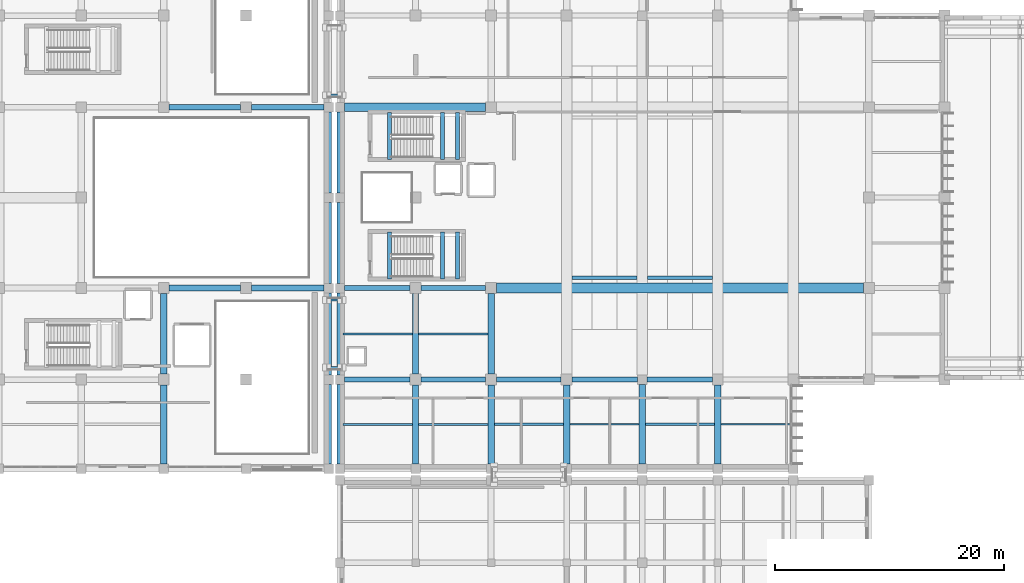
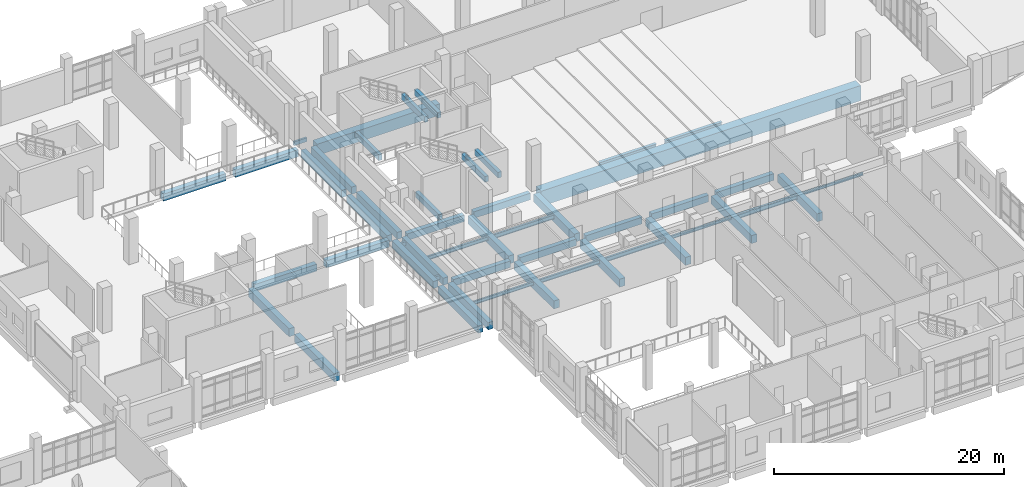
# One storey, part 18 of 90: 49 beams.
"""IFC4 building model written with IfcOpenShell, lengths in metres."""

import ifcopenshell
import ifcopenshell.guid

model = None  # the IFC model being written
_history = None  # IfcOwnerHistory: only IFC2X3 demands one
_inside = {}  # id of a spatial element -> (the spatial element, [elements in it])
_under = {}  # id of a project, library or spatial element -> (it, [spatial elements below it])
_declared = {}  # id of a project -> (the project, [libraries it declares])
_typed = {}  # id of a type object -> (the type object, [elements of that type])
_made_of = {}  # id of a material, layer set ... -> (it, [elements and type objects made of it])


def new_model(schema):
    """Start an empty IFC model of exactly this schema.

    Asked for "IFC4X3", IfcOpenShell would pick the latest addendum, in which some entities
    have other attributes; the version numbers below select the first issue.
    IFC2X3 requires an IfcOwnerHistory on every rooted entity: one is made here for all.
    """
    global model, _history
    if schema == "IFC4X3":
        model = ifcopenshell.file(schema_version=(4, 3, 0, 0))
    else:
        model = ifcopenshell.file(schema=schema)
    _inside.clear()
    _under.clear()
    _declared.clear()
    _typed.clear()
    _made_of.clear()
    _history = None
    if model.schema == "IFC2X3":
        org = make("IfcOrganization", Name="unknown")
        user = make(
            "IfcPersonAndOrganization",
            ThePerson=make("IfcPerson", FamilyName="unknown"),
            TheOrganization=org,
        )
        app = make(
            "IfcApplication",
            ApplicationDeveloper=org,
            Version="unknown",
            ApplicationFullName="unknown",
            ApplicationIdentifier="unknown",
        )
        _history = make(
            "IfcOwnerHistory",
            OwningUser=user,
            OwningApplication=app,
            ChangeAction="ADDED",
            CreationDate=0,
        )
    return model


def make(cls, **values):
    """One entity of the class cls with the attributes given. An attribute that is None is left unset."""
    return model.create_entity(
        cls, **{name: value for name, value in values.items() if value is not None}
    )


def rooted(cls, **values):
    """An entity with a GlobalId (a new one), such as an element, a storey or a relation."""
    return make(cls, GlobalId=ifcopenshell.guid.new(), OwnerHistory=_history, **values)


def si_unit(unit_type, name, prefix=None):
    """IfcSIUnit, for example si_unit("LENGTHUNIT", "METRE", prefix="MILLI")."""
    return make("IfcSIUnit", UnitType=unit_type, Prefix=prefix, Name=name)


def assignment(units):
    """IfcUnitAssignment: the units of a project."""
    return None if units is None else make("IfcUnitAssignment", Units=units)


def point(xyz):
    """IfcCartesianPoint."""
    return None if xyz is None else make("IfcCartesianPoint", Coordinates=xyz)


def direction(xyz):
    """IfcDirection."""
    return None if xyz is None else make("IfcDirection", DirectionRatios=xyz)


def frame(location, z_axis=None, x_axis=None):
    """IfcAxis2Placement3D, a coordinate frame: its origin and axes. An axis left out is left unset."""
    return make(
        "IfcAxis2Placement3D",
        Location=point(location),
        Axis=direction(z_axis),
        RefDirection=direction(x_axis),
    )


def frame_2d(location, x_axis=None):
    """IfcAxis2Placement2D, a coordinate frame in the plane: its origin and x axis."""
    return make(
        "IfcAxis2Placement2D", Location=point(location), RefDirection=direction(x_axis)
    )


def origin():
    """The frame at (0, 0, 0) with its axes left unset."""
    return frame((0.0, 0.0, 0.0))


def origin_2d():
    """The frame at (0, 0) in the plane with its x axis left unset."""
    return frame_2d((0.0, 0.0))


def place(relative_to, where):
    """IfcLocalPlacement: puts the frame where relative to a parent placement (None: the world)."""
    return make(
        "IfcLocalPlacement", PlacementRelTo=relative_to, RelativePlacement=where
    )


def context(
    kind, dimensions, precision=None, world=None, true_north=None, identifier=None
):
    """IfcGeometricRepresentationContext, for example the 3D "Model" context."""
    return make(
        "IfcGeometricRepresentationContext",
        ContextIdentifier=identifier,
        ContextType=kind,
        CoordinateSpaceDimension=dimensions,
        Precision=precision,
        WorldCoordinateSystem=world,
        TrueNorth=true_north,
    )


def subcontext(parent, identifier, kind, view, scale=None):
    """IfcGeometricRepresentationSubContext, for example "Body" below "Model"."""
    return make(
        "IfcGeometricRepresentationSubContext",
        ContextIdentifier=identifier,
        ContextType=kind,
        ParentContext=parent,
        TargetScale=scale,
        TargetView=view,
    )


def project(units=None, contexts=None):
    """IfcProject with its units and contexts."""
    return rooted(
        "IfcProject",
        Name="project",
        RepresentationContexts=contexts,
        UnitsInContext=assignment(units),
    )


def spatial(cls, under=None, at=None, **own):
    """A site, building, storey or space (cls), placed at a placement, below another one or the project."""
    s = rooted(cls, ObjectPlacement=at, **own)
    if under is not None:
        _under.setdefault(under.id(), (under, []))[1].append(s)
    return s


def profile(cls, at=None, kind="AREA", **sizes):
    """A parametric profile (cls). Its sizes go by their IFC names, for example OverallWidth=200.0."""
    return make(cls, ProfileType=kind, Position=at, **sizes)


def rectangle(**sizes):
    """IfcRectangleProfileDef."""
    return profile("IfcRectangleProfileDef", **sizes)


def hollow_rectangle(**sizes):
    """IfcRectangleHollowProfileDef."""
    return profile("IfcRectangleHollowProfileDef", **sizes)


def i_section(**sizes):
    """IfcIShapeProfileDef."""
    return profile("IfcIShapeProfileDef", **sizes)


def extrude(swept, where, along, depth):
    """IfcExtrudedAreaSolid: the profile swept, set in the frame where, extruded along a direction by depth."""
    return make(
        "IfcExtrudedAreaSolid",
        SweptArea=swept,
        Position=where,
        ExtrudedDirection=direction(along),
        Depth=depth,
    )


def shape(context_of_items, identifier, shape_type, items):
    """IfcShapeRepresentation: the items that make up one representation, for example the "Body"."""
    return make(
        "IfcShapeRepresentation",
        ContextOfItems=context_of_items,
        RepresentationIdentifier=identifier,
        RepresentationType=shape_type,
        Items=items,
    )


def material(Name=None, Category=None):
    """IfcMaterial."""
    return make("IfcMaterial", Name=Name, Category=Category)


def material_profile(
    of_material, cross_section, Name=None, Category=None, Priority=None
):
    """IfcMaterialProfile: a cross section and its material."""
    return make(
        "IfcMaterialProfile",
        Name=Name,
        Material=of_material,
        Profile=cross_section,
        Priority=Priority,
        Category=Category,
    )


def profile_set(profiles, Name=None, composite=None):
    """IfcMaterialProfileSet."""
    return make(
        "IfcMaterialProfileSet",
        Name=Name,
        MaterialProfiles=profiles,
        CompositeProfile=composite,
    )


def made_of(thing, what):
    """Note that an element or type object is made of a material, layer set ...; save() writes the relation."""
    if what is not None:
        _made_of.setdefault(what.id(), (what, []))[1].append(thing)
    return thing


def type_object(cls, material=None, **own):
    """A type object (cls), such as IfcWallType, which elements share."""
    return made_of(rooted(cls, **own), material)


def element(
    cls,
    number,
    at=None,
    inside=None,
    cuts=None,
    type_object=None,
    material=None,
    context=None,
    identifier="Body",
    shape_type=None,
    held_by="IfcProductDefinitionShape",
    body=None,
    shapes=None,
    **own,
):
    """One element of the class cls, such as IfcWall. Its Tag is "e" and its number.

    at: its placement. inside: the storey or other place that contains it. cuts: it is an
    opening in that element (IfcRelVoidsElement). A single representation is given by context,
    identifier, shape_type and body (its items); several are given by shapes. held_by: the class
    of the entity that holds the representations. save() writes the other relations.
    """
    e = rooted(cls, Tag="e%d" % number, ObjectPlacement=at, **own)
    if body is not None:
        shapes = [shape(context, identifier, shape_type, body)]
    if shapes is not None:
        e.Representation = make(held_by, Representations=shapes)
    if inside is not None:
        _inside.setdefault(inside.id(), (inside, []))[1].append(e)
    if cuts is not None:
        rooted(
            "IfcRelVoidsElement", RelatingBuildingElement=cuts, RelatedOpeningElement=e
        )
    if type_object is not None:
        _typed.setdefault(type_object.id(), (type_object, []))[1].append(e)
    return made_of(e, material)


def aggregate(whole, parts):
    """IfcRelAggregates: a whole, such as a stair, and the parts it consists of."""
    return rooted("IfcRelAggregates", RelatingObject=whole, RelatedObjects=parts)


def save(model, path):
    """Write the relations noted so far, then the file.

    IfcRelAggregates (storeys below a building ...), IfcRelContainedInSpatialStructure (elements
    in a storey), IfcRelDefinesByType, IfcRelAssociatesMaterial and IfcRelDeclares: one each for
    every whole, place, type object, material and project.
    """
    for whole, parts in _under.values():
        aggregate(whole, parts)
    for where, things in _inside.values():
        rooted(
            "IfcRelContainedInSpatialStructure",
            RelatedElements=things,
            RelatingStructure=where,
        )
    for kind, things in _typed.values():
        rooted("IfcRelDefinesByType", RelatedObjects=things, RelatingType=kind)
    for what, things in _made_of.values():
        rooted("IfcRelAssociatesMaterial", RelatedObjects=things, RelatingMaterial=what)
    for by, libraries in _declared.values():
        rooted("IfcRelDeclares", RelatingContext=by, RelatedDefinitions=libraries)
    model.write(path)


model = new_model("IFC4")

# Units and contexts
model_context = context("Model", 3, precision=1e-05, world=origin(), true_north=direction((0.0, 1.0)))
body_context = subcontext(model_context, "Body", "Model", "MODEL_VIEW")
ifc_project = project(units=[si_unit("LENGTHUNIT", "METRE"), si_unit("AREAUNIT", "SQUARE_METRE"), si_unit("VOLUMEUNIT", "CUBIC_METRE"), si_unit("PLANEANGLEUNIT", "RADIAN"), si_unit("MASSUNIT", "GRAM", prefix="KILO")], contexts=[model_context])

# Site, building, storey
site_placement = place(None, origin())
site = spatial("IfcSite", under=ifc_project, at=site_placement, CompositionType="ELEMENT")
building_placement = place(site_placement, origin())
building = spatial("IfcBuilding", under=site, at=building_placement, Name="Kelarvand Opera House", CompositionType="ELEMENT")
storey_placement = place(building_placement, frame((0.0, 0.0, 5.39990234375)))
storey = spatial("IfcBuildingStorey", under=building, at=storey_placement, Name="L01", CompositionType="ELEMENT", Elevation=5.39990234375)

# Beams
ifc_material_1 = material(Name="Concrete C35/45", Category="concrete")
ifc_material_profile_1 = material_profile(ifc_material_1, rectangle(XDim=0.35009765625, YDim=0.60009765625, at=origin_2d()), Name="RC 350x600", Category="concrete")
ifc_profile_set_1 = profile_set([ifc_material_profile_1], Name="Concrete C35/45")
beam_type_1 = type_object("IfcBeamType", Name="Structural Beam RC 350x600 BM-RC350x600", PredefinedType="BEAM", material=ifc_profile_set_1)
for number, where, z_axis, x_axis, name in (
    (1, (93.340087890625, 65.85009765625, -0.52001953125), (0.0, 1.0, 0.0), (-1.0, 0.0, 0.0), "C1 Stair Landing Support Beam L01"),
    (2, (97.949951171875, 65.85009765625, 1.900146484375), (0.0, 1.0, 0.0), (-1.0, 0.0, 0.0), "C1 Stair Half-Landing Beam 1 L01"),
    (3, (99.25, 65.85009765625, 1.900146484375), (0.0, 1.0, 0.0), (-1.0, 0.0, 0.0), "C1 Stair Half-Landing Beam 2 L01"),
):
    element("IfcBeam", number, at=place(storey_placement, frame(where, z_axis=z_axis, x_axis=x_axis)), inside=storey, type_object=beam_type_1, Name=name, PredefinedType="BEAM", context=body_context, shape_type="SweptSolid", body=[
        extrude(rectangle(XDim=0.35009765625, YDim=0.60009765625, at=origin_2d()), origin(), (0.0, 0.0, 1.0), 4.099853515625),
    ])
for number, where, z_axis, x_axis, name in (
    (4, (93.340087890625, 55.39990234375, -0.52001953125), (0.0, 1.0, 0.0), (-1.0, 0.0, 0.0), "C4 Stair Landing Support Beam L01"),
    (5, (97.949951171875, 55.39990234375, 1.900146484375), (0.0, 1.0, 0.0), (-1.0, 0.0, 0.0), "C4 Stair Half-Landing Beam 1 L01"),
    (6, (99.25, 55.39990234375, 1.900146484375), (0.0, 1.0, 0.0), (-1.0, 0.0, 0.0), "C4 Stair Half-Landing Beam 2 L01"),
):
    element("IfcBeam", number, at=place(storey_placement, frame(where, z_axis=z_axis, x_axis=x_axis)), inside=storey, type_object=beam_type_1, Name=name, PredefinedType="BEAM", context=body_context, shape_type="SweptSolid", body=[
        extrude(rectangle(XDim=0.35009765625, YDim=0.60009765625, at=origin_2d()), origin(), (0.0, 0.0, 1.0), 4.10009765625),
    ])
ifc_material_2 = material(Name="Concrete C40/50", Category="concrete")
ifc_material_profile_2 = material_profile(ifc_material_2, rectangle(XDim=0.449951171875, YDim=0.699951171875, at=origin_2d()), Name="RC 450x700", Category="concrete")
ifc_profile_set_2 = profile_set([ifc_material_profile_2], Name="Concrete C40/50")
beam_type_2 = type_object("IfcBeamType", Name="Structural Beam RC 450x700 BM-RC450x700", PredefinedType="BEAM", material=ifc_profile_set_2)
beam_1_placement = place(storey_placement, frame((89.409912109375, 46.60009765625, -0.64990234375), z_axis=(1.0, 0.0, 0.0), x_axis=(0.0, 1.0, 0.0)))
element("IfcBeam", 7, at=beam_1_placement, inside=storey, type_object=beam_type_2, Name="V1 L01 Beam BM-RC450x700", PredefinedType="BEAM", context=body_context, shape_type="SweptSolid", body=[
    extrude(rectangle(XDim=0.449951171875, YDim=0.699951171875, at=origin_2d()), origin(), (0.0, 0.0, 1.0), 5.715087890625),
])
beam_2_placement = place(storey_placement, frame((96.074951171875, 46.60009765625, -0.64990234375), z_axis=(1.0, 0.0, 0.0), x_axis=(0.0, 1.0, 0.0)))
element("IfcBeam", 8, at=beam_2_placement, inside=storey, type_object=beam_type_2, Name="V1 L01 Beam BM-RC450x700", PredefinedType="BEAM", context=body_context, shape_type="SweptSolid", body=[
    extrude(rectangle(XDim=0.449951171875, YDim=0.699951171875, at=origin_2d()), origin(), (0.0, 0.0, 1.0), 5.650146484375),
])
beam_3_placement = place(storey_placement, frame((102.675048828125, 46.60009765625, -0.64990234375), z_axis=(1.0, 0.0, 0.0), x_axis=(0.0, 1.0, 0.0)))
element("IfcBeam", 9, at=beam_3_placement, inside=storey, type_object=beam_type_2, Name="V1 L01 Beam BM-RC450x700", PredefinedType="BEAM", context=body_context, shape_type="SweptSolid", body=[
    extrude(rectangle(XDim=0.449951171875, YDim=0.699951171875, at=origin_2d()), origin(), (0.0, 0.0, 1.0), 5.64990234375),
])
beam_4_placement = place(storey_placement, frame((109.27490234375, 46.60009765625, -0.64990234375), z_axis=(1.0, 0.0, 0.0), x_axis=(0.0, 1.0, 0.0)))
element("IfcBeam", 10, at=beam_4_placement, inside=storey, type_object=beam_type_2, Name="V1 L01 Beam BM-RC450x700", PredefinedType="BEAM", context=body_context, shape_type="SweptSolid", body=[
    extrude(rectangle(XDim=0.449951171875, YDim=0.699951171875, at=origin_2d()), origin(), (0.0, 0.0, 1.0), 5.715087890625),
])
beam_5_placement = place(storey_placement, frame((115.81005859375, 46.60009765625, -0.64990234375), z_axis=(1.0, 0.0, 0.0), x_axis=(0.0, 1.0, 0.0)))
element("IfcBeam", 11, at=beam_5_placement, inside=storey, type_object=beam_type_2, Name="V1 L01 Beam BM-RC450x700", PredefinedType="BEAM", context=body_context, shape_type="SweptSolid", body=[
    extrude(rectangle(XDim=0.449951171875, YDim=0.699951171875, at=origin_2d()), origin(), (0.0, 0.0, 1.0), 5.71484375),
])
beam_6_placement = place(storey_placement, frame((89.409912109375, 54.60009765625, -0.64990234375), z_axis=(1.0, 0.0, 0.0), x_axis=(0.0, 1.0, 0.0)))
element("IfcBeam", 12, at=beam_6_placement, inside=storey, type_object=beam_type_2, Name="V1 L01 Beam BM-RC450x700", PredefinedType="BEAM", context=body_context, shape_type="SweptSolid", body=[
    extrude(rectangle(XDim=0.449951171875, YDim=0.699951171875, at=origin_2d()), origin(), (0.0, 0.0, 1.0), 5.715087890625),
])
beam_7_placement = place(storey_placement, frame((96.074951171875, 54.60009765625, -0.64990234375), z_axis=(1.0, 0.0, 0.0), x_axis=(0.0, 1.0, 0.0)))
element("IfcBeam", 13, at=beam_7_placement, inside=storey, type_object=beam_type_2, Name="V1 L01 Beam BM-RC450x700", PredefinedType="BEAM", context=body_context, shape_type="SweptSolid", body=[
    extrude(rectangle(XDim=0.449951171875, YDim=0.699951171875, at=origin_2d()), origin(), (0.0, 0.0, 1.0), 5.650146484375),
])
ifc_material_profile_3 = material_profile(ifc_material_2, rectangle(XDim=0.5, YDim=0.75, at=origin_2d()), Name="RC 500x750", Category="concrete")
ifc_profile_set_3 = profile_set([ifc_material_profile_3], Name="Concrete C40/50")
beam_type_3 = type_object("IfcBeamType", Name="Structural Beam RC 500x750 BM-RC500x750", PredefinedType="BEAM", material=ifc_profile_set_3)
beam_8_placement = place(storey_placement, frame((74.074951171875, 54.60009765625, -0.6748046875), z_axis=(1.0, 0.0, 0.0), x_axis=(0.0, 1.0, 0.0)))
element("IfcBeam", 14, at=beam_8_placement, inside=storey, type_object=beam_type_3, Name="V2 L01 Beam BM-RC500x750", PredefinedType="BEAM", context=body_context, shape_type="SweptSolid", body=[
    extrude(rectangle(XDim=0.5, YDim=0.75, at=origin_2d()), origin(), (0.0, 0.0, 1.0), 6.25),
])
beam_9_placement = place(storey_placement, frame((81.27490234375, 54.60009765625, -0.6748046875), z_axis=(1.0, 0.0, 0.0), x_axis=(0.0, 1.0, 0.0)))
element("IfcBeam", 15, at=beam_9_placement, inside=storey, type_object=beam_type_3, Name="V2 L01 Beam BM-RC500x750", PredefinedType="BEAM", context=body_context, shape_type="SweptSolid", body=[
    extrude(rectangle(XDim=0.5, YDim=0.75, at=origin_2d()), origin(), (0.0, 0.0, 1.0), 6.315185546875),
])
beam_10_placement = place(storey_placement, frame((74.074951171875, 70.39990234375, -0.6748046875), z_axis=(1.0, 0.0, 0.0), x_axis=(0.0, 1.0, 0.0)))
element("IfcBeam", 16, at=beam_10_placement, inside=storey, type_object=beam_type_3, Name="V2 L01 Beam BM-RC500x750", PredefinedType="BEAM", context=body_context, shape_type="SweptSolid", body=[
    extrude(rectangle(XDim=0.5, YDim=0.75, at=origin_2d()), origin(), (0.0, 0.0, 1.0), 6.25),
])
beam_11_placement = place(storey_placement, frame((81.27490234375, 70.39990234375, -0.6748046875), z_axis=(1.0, 0.0, 0.0), x_axis=(0.0, 1.0, 0.0)))
element("IfcBeam", 17, at=beam_11_placement, inside=storey, type_object=beam_type_3, Name="V2 L01 Beam BM-RC500x750", PredefinedType="BEAM", context=body_context, shape_type="SweptSolid", body=[
    extrude(rectangle(XDim=0.5, YDim=0.75, at=origin_2d()), origin(), (0.0, 0.0, 1.0), 6.315185546875),
])
ifc_material_profile_4 = material_profile(ifc_material_2, rectangle(XDim=0.550048828125, YDim=0.85009765625, at=origin_2d()), Name="RC 550x850", Category="concrete")
ifc_profile_set_4 = profile_set([ifc_material_profile_4], Name="Concrete C40/50")
beam_type_4 = type_object("IfcBeamType", Name="Structural Beam RC 550x850 BM-RC550x850", PredefinedType="BEAM", material=ifc_profile_set_4)
beam_12_placement = place(storey_placement, frame((95.60009765625, 39.2099609375, -0.724853515625), z_axis=(0.0, 1.0, 0.0), x_axis=(-1.0, 0.0, 0.0)))
element("IfcBeam", 18, at=beam_12_placement, inside=storey, type_object=beam_type_4, Name="V1 L01 Beam BM-RC550x850", PredefinedType="BEAM", context=body_context, shape_type="SweptSolid", body=[
    extrude(rectangle(XDim=0.550048828125, YDim=0.85009765625, at=origin_2d()), origin(), (0.0, 0.0, 1.0), 6.9150390625),
])
beam_13_placement = place(storey_placement, frame((95.60009765625, 47.074951171875, -0.724853515625), z_axis=(0.0, 1.0, 0.0), x_axis=(-1.0, 0.0, 0.0)))
element("IfcBeam", 19, at=beam_13_placement, inside=storey, type_object=beam_type_4, Name="V1 L01 Beam BM-RC550x850", PredefinedType="BEAM", context=body_context, shape_type="SweptSolid", body=[
    extrude(rectangle(XDim=0.550048828125, YDim=0.85009765625, at=origin_2d()), origin(), (0.0, 0.0, 1.0), 7.050048828125),
])
beam_14_placement = place(storey_placement, frame((102.199951171875, 39.2099609375, -0.724853515625), z_axis=(0.0, 1.0, 0.0), x_axis=(-1.0, 0.0, 0.0)))
element("IfcBeam", 20, at=beam_14_placement, inside=storey, type_object=beam_type_4, Name="V1 L01 Beam BM-RC550x850", PredefinedType="BEAM", context=body_context, shape_type="SweptSolid", body=[
    extrude(rectangle(XDim=0.550048828125, YDim=0.85009765625, at=origin_2d()), origin(), (0.0, 0.0, 1.0), 6.9150390625),
])
beam_15_placement = place(storey_placement, frame((102.199951171875, 47.074951171875, -0.724853515625), z_axis=(0.0, 1.0, 0.0), x_axis=(-1.0, 0.0, 0.0)))
element("IfcBeam", 21, at=beam_15_placement, inside=storey, type_object=beam_type_4, Name="V1 L01 Beam BM-RC550x850", PredefinedType="BEAM", context=body_context, shape_type="SweptSolid", body=[
    extrude(rectangle(XDim=0.550048828125, YDim=0.85009765625, at=origin_2d()), origin(), (0.0, 0.0, 1.0), 7.050048828125),
])
beam_16_placement = place(storey_placement, frame((108.800048828125, 39.2099609375, -0.724853515625), z_axis=(0.0, 1.0, 0.0), x_axis=(-1.0, 0.0, 0.0)))
element("IfcBeam", 22, at=beam_16_placement, inside=storey, type_object=beam_type_4, Name="V1 L01 Beam BM-RC550x850", PredefinedType="BEAM", context=body_context, shape_type="SweptSolid", body=[
    extrude(rectangle(XDim=0.550048828125, YDim=0.85009765625, at=origin_2d()), origin(), (0.0, 0.0, 1.0), 6.9150390625),
])
beam_17_placement = place(storey_placement, frame((115.39990234375, 39.2099609375, -0.724853515625), z_axis=(0.0, 1.0, 0.0), x_axis=(-1.0, 0.0, 0.0)))
element("IfcBeam", 23, at=beam_17_placement, inside=storey, type_object=beam_type_4, Name="V1 L01 Beam BM-RC550x850", PredefinedType="BEAM", context=body_context, shape_type="SweptSolid", body=[
    extrude(rectangle(XDim=0.550048828125, YDim=0.85009765625, at=origin_2d()), origin(), (0.0, 0.0, 1.0), 6.97998046875),
])
for number, where, z_axis, x_axis, name in (
    (24, (122.0, 39.2099609375, -0.724853515625), (0.0, 1.0, 0.0), (-1.0, 0.0, 0.0), "V1 L01 Beam BM-RC550x850"),
    (25, (73.60009765625, 39.2099609375, -0.724853515625), (0.0, 1.0, 0.0), (-1.0, 0.0, 0.0), "V2 L01 Beam BM-RC550x850"),
):
    element("IfcBeam", number, at=place(storey_placement, frame(where, z_axis=z_axis, x_axis=x_axis)), inside=storey, type_object=beam_type_4, Name=name, PredefinedType="BEAM", context=body_context, shape_type="SweptSolid", body=[
        extrude(rectangle(XDim=0.550048828125, YDim=0.85009765625, at=origin_2d()), origin(), (0.0, 0.0, 1.0), 6.9150390625),
    ])
beam_18_placement = place(storey_placement, frame((73.60009765625, 47.074951171875, -0.724853515625), z_axis=(0.0, 1.0, 0.0), x_axis=(-1.0, 0.0, 0.0)))
element("IfcBeam", 26, at=beam_18_placement, inside=storey, type_object=beam_type_4, Name="V2 L01 Beam BM-RC550x850", PredefinedType="BEAM", context=body_context, shape_type="SweptSolid", body=[
    extrude(rectangle(XDim=0.550048828125, YDim=0.85009765625, at=origin_2d()), origin(), (0.0, 0.0, 1.0), 7.050048828125),
])
ifc_material_profile_5 = material_profile(ifc_material_2, rectangle(XDim=0.75, YDim=1.199951171875, at=origin_2d()), Name="RC 750x1200", Category="concrete")
ifc_profile_set_5 = profile_set([ifc_material_profile_5], Name="Concrete C40/50")
beam_type_5 = type_object("IfcBeamType", Name="Structural Beam RC 750x1200 BM-RC750x1200", PredefinedType="BEAM", material=ifc_profile_set_5)
beam_19_placement = place(storey_placement, frame((89.409912109375, 70.39990234375, -0.89990234375), z_axis=(1.0, 0.0, 0.0), x_axis=(0.0, 1.0, 0.0)))
element("IfcBeam", 27, at=beam_19_placement, inside=storey, type_object=beam_type_5, Name="V1 L01 Beam BM-RC750x1200", PredefinedType="BEAM", context=body_context, shape_type="SweptSolid", body=[
    extrude(rectangle(XDim=0.75, YDim=1.199951171875, at=origin_2d()), origin(), (0.0, 0.0, 1.0), 12.315185546875),
])
ifc_material_profile_6 = material_profile(ifc_material_2, rectangle(XDim=0.89990234375, YDim=1.60009765625, at=origin_2d()), Name="RC 900x1600", Category="concrete")
ifc_profile_set_6 = profile_set([ifc_material_profile_6], Name="Concrete C40/50")
beam_type_6 = type_object("IfcBeamType", Name="Structural Beam RC 900x1600 BM-RC900x1600", PredefinedType="BEAM", material=ifc_profile_set_6)
beam_20_placement = place(storey_placement, frame((102.675048828125, 54.60009765625, -1.099853515625), z_axis=(1.0, 0.0, 0.0), x_axis=(0.0, 1.0, 0.0)))
element("IfcBeam", 28, at=beam_20_placement, inside=storey, type_object=beam_type_6, Name="V1 L01 Beam BM-RC900x1600", PredefinedType="BEAM", context=body_context, shape_type="SweptSolid", body=[
    extrude(rectangle(XDim=0.89990234375, YDim=1.60009765625, at=origin_2d()), origin(), (0.0, 0.0, 1.0), 32.050048828125),
])
ifc_material_3 = material(Name="Steel S355", Category="steel")
ifc_material_profile_7 = material_profile(ifc_material_3, hollow_rectangle(XDim=0.199951171875, YDim=0.39990234375, WallThickness=0.01611328125, at=origin_2d()), Name="RHS 400x200x16.0", Category="steel")
ifc_profile_set_7 = profile_set([ifc_material_profile_7], Name="Steel S355")
beam_type_7 = type_object("IfcBeamType", Name="Structural Beam RHS 400x200x16.0 BM-RHS400", PredefinedType="BEAM", material=ifc_profile_set_7)
for number, where, z_axis, x_axis, name in (
    (29, (87.85009765625, 71.449951171875, -0.52001953125), (1.0, 0.0, 0.0), (0.0, 1.0, 0.0), "Seismic Sliding Corbel Beam BR-JP-N L01 1"),
    (30, (87.85009765625, 47.64990234375, -0.52001953125), (1.0, 0.0, 0.0), (0.0, 1.0, 0.0), "Seismic Sliding Corbel Beam BR-JP-S L01 1"),
    (31, (87.85009765625, 53.550048828125, -0.52001953125), (1.0, 0.0, 0.0), (0.0, 1.0, 0.0), "Seismic Sliding Corbel Beam BR-JP-S L01 2"),
):
    element("IfcBeam", number, at=place(storey_placement, frame(where, z_axis=z_axis, x_axis=x_axis)), inside=storey, type_object=beam_type_7, Name=name, PredefinedType="BEAM", context=body_context, shape_type="SweptSolid", body=[
        extrude(hollow_rectangle(XDim=0.199951171875, YDim=0.39990234375, WallThickness=0.01611328125, at=origin_2d()), origin(), (0.0, 0.0, 1.0), 1.2998046875),
    ])
ifc_material_profile_8 = material_profile(ifc_material_3, i_section(OverallWidth=0.14990234375, OverallDepth=0.300048828125, WebThickness=0.007080078125, FlangeThickness=0.0107421875, at=origin_2d()), Name="IPE 300", Category="steel")
ifc_profile_set_8 = profile_set([ifc_material_profile_8], Name="Steel S355")
beam_type_8 = type_object("IfcBeamType", Name="Structural Joist IPE 300 JS-IPE300", PredefinedType="JOIST", material=ifc_profile_set_8)
beam_21_placement = place(storey_placement, frame((122.27490234375, 42.699951171875, -0.449951171875), z_axis=(1.0, 0.0, 0.0), x_axis=(0.0, 1.0, 0.0)))
element("IfcBeam", 32, at=beam_21_placement, inside=storey, type_object=beam_type_8, Name="V1 L01 Beam JS-IPE300", PredefinedType="JOIST", context=body_context, shape_type="SweptSolid", body=[
    extrude(i_section(OverallWidth=0.14990234375, OverallDepth=0.300048828125, WebThickness=0.007080078125, FlangeThickness=0.0107421875, at=origin_2d()), origin(), (0.0, 0.0, 1.0), 6.050048828125),
])
ifc_material_profile_9 = material_profile(ifc_material_3, i_section(OverallWidth=0.159912109375, OverallDepth=0.330078125, WebThickness=0.007568359375, FlangeThickness=0.011474609375, at=origin_2d()), Name="IPE 330", Category="steel")
ifc_profile_set_9 = profile_set([ifc_material_profile_9], Name="Steel S355")
beam_type_9 = type_object("IfcBeamType", Name="Structural Joist IPE 330 JS-IPE330", PredefinedType="JOIST", material=ifc_profile_set_9)
beam_22_placement = place(storey_placement, frame((109.074951171875, 42.699951171875, -0.46484375), z_axis=(1.0, 0.0, 0.0), x_axis=(0.0, 1.0, 0.0)))
element("IfcBeam", 33, at=beam_22_placement, inside=storey, type_object=beam_type_9, Name="V1 L01 Beam JS-IPE330", PredefinedType="JOIST", context=body_context, shape_type="SweptSolid", body=[
    extrude(i_section(OverallWidth=0.159912109375, OverallDepth=0.330078125, WebThickness=0.007568359375, FlangeThickness=0.011474609375, at=origin_2d()), origin(), (0.0, 0.0, 1.0), 6.050048828125),
])
ifc_material_profile_10 = material_profile(ifc_material_3, i_section(OverallWidth=0.169921875, OverallDepth=0.360107421875, WebThickness=0.008056640625, FlangeThickness=0.0126953125, at=origin_2d()), Name="IPE 360", Category="steel")
ifc_profile_set_10 = profile_set([ifc_material_profile_10], Name="Steel S355")
beam_type_10 = type_object("IfcBeamType", Name="Structural Joist IPE 360 JS-IPE360", PredefinedType="JOIST", material=ifc_profile_set_10)
beam_23_placement = place(storey_placement, frame((89.25, 42.699951171875, -0.47998046875), z_axis=(1.0, 0.0, 0.0), x_axis=(0.0, 1.0, 0.0)))
element("IfcBeam", 34, at=beam_23_placement, inside=storey, type_object=beam_type_10, Name="V1 L01 Beam JS-IPE360", PredefinedType="JOIST", context=body_context, shape_type="SweptSolid", body=[
    extrude(i_section(OverallWidth=0.169921875, OverallDepth=0.360107421875, WebThickness=0.008056640625, FlangeThickness=0.0126953125, at=origin_2d()), origin(), (0.0, 0.0, 1.0), 6.074951171875),
])
ifc_material_profile_11 = material_profile(ifc_material_3, i_section(OverallWidth=0.179931640625, OverallDepth=0.39990234375, WebThickness=0.008544921875, FlangeThickness=0.013427734375, at=origin_2d()), Name="IPE 400", Category="steel")
ifc_profile_set_11 = profile_set([ifc_material_profile_11], Name="Steel S355")
beam_type_11 = type_object("IfcBeamType", Name="Structural Joist IPE 400 JS-IPE400", PredefinedType="JOIST", material=ifc_profile_set_11)
beam_24_placement = place(storey_placement, frame((89.25, 50.60009765625, -0.5), z_axis=(1.0, 0.0, 0.0), x_axis=(0.0, 1.0, 0.0)))
element("IfcBeam", 35, at=beam_24_placement, inside=storey, type_object=beam_type_11, Name="V1 L01 Beam JS-IPE400", PredefinedType="JOIST", context=body_context, shape_type="SweptSolid", body=[
    extrude(i_section(OverallWidth=0.179931640625, OverallDepth=0.39990234375, WebThickness=0.008544921875, FlangeThickness=0.013427734375, at=origin_2d()), origin(), (0.0, 0.0, 1.0), 6.074951171875),
])
beam_25_placement = place(storey_placement, frame((95.875, 42.699951171875, -0.5), z_axis=(1.0, 0.0, 0.0), x_axis=(0.0, 1.0, 0.0)))
element("IfcBeam", 36, at=beam_25_placement, inside=storey, type_object=beam_type_11, Name="V1 L01 Beam JS-IPE400", PredefinedType="JOIST", context=body_context, shape_type="SweptSolid", body=[
    extrude(i_section(OverallWidth=0.179931640625, OverallDepth=0.39990234375, WebThickness=0.008544921875, FlangeThickness=0.013427734375, at=origin_2d()), origin(), (0.0, 0.0, 1.0), 6.050048828125),
])
ifc_material_profile_12 = material_profile(ifc_material_3, i_section(OverallWidth=0.18994140625, OverallDepth=0.449951171875, WebThickness=0.009521484375, FlangeThickness=0.0146484375, at=origin_2d()), Name="IPE 450", Category="steel")
ifc_profile_set_12 = profile_set([ifc_material_profile_12], Name="Steel S355")
beam_type_12 = type_object("IfcBeamType", Name="Structural Joist IPE 450 JS-IPE450", PredefinedType="JOIST", material=ifc_profile_set_12)
beam_26_placement = place(storey_placement, frame((95.875, 50.60009765625, -0.52490234375), z_axis=(1.0, 0.0, 0.0), x_axis=(0.0, 1.0, 0.0)))
element("IfcBeam", 37, at=beam_26_placement, inside=storey, type_object=beam_type_12, Name="V1 L01 Beam JS-IPE450", PredefinedType="JOIST", context=body_context, shape_type="SweptSolid", body=[
    extrude(i_section(OverallWidth=0.18994140625, OverallDepth=0.449951171875, WebThickness=0.009521484375, FlangeThickness=0.0146484375, at=origin_2d()), origin(), (0.0, 0.0, 1.0), 6.050048828125),
])
beam_27_placement = place(storey_placement, frame((102.47509765625, 42.699951171875, -0.52490234375), z_axis=(1.0, 0.0, 0.0), x_axis=(0.0, 1.0, 0.0)))
element("IfcBeam", 38, at=beam_27_placement, inside=storey, type_object=beam_type_12, Name="V1 L01 Beam JS-IPE450", PredefinedType="JOIST", context=body_context, shape_type="SweptSolid", body=[
    extrude(i_section(OverallWidth=0.18994140625, OverallDepth=0.449951171875, WebThickness=0.009521484375, FlangeThickness=0.0146484375, at=origin_2d()), origin(), (0.0, 0.0, 1.0), 6.0498046875),
])
ifc_material_profile_13 = material_profile(ifc_material_3, i_section(OverallWidth=0.199951171875, OverallDepth=0.5, WebThickness=0.01025390625, FlangeThickness=0.01611328125, at=origin_2d()), Name="IPE 500", Category="steel")
ifc_profile_set_13 = profile_set([ifc_material_profile_13], Name="Steel S355")
beam_type_13 = type_object("IfcBeamType", Name="Structural Joist IPE 500 JS-IPE500", PredefinedType="JOIST", material=ifc_profile_set_13)
beam_28_placement = place(storey_placement, frame((115.675048828125, 42.699951171875, -0.5498046875), z_axis=(1.0, 0.0, 0.0), x_axis=(0.0, 1.0, 0.0)))
element("IfcBeam", 39, at=beam_28_placement, inside=storey, type_object=beam_type_13, Name="V1 L01 Beam JS-IPE500", PredefinedType="JOIST", context=body_context, shape_type="SweptSolid", body=[
    extrude(i_section(OverallWidth=0.199951171875, OverallDepth=0.5, WebThickness=0.01025390625, FlangeThickness=0.01611328125, at=origin_2d()), origin(), (0.0, 0.0, 1.0), 6.050048828125),
])
ifc_material_profile_14 = material_profile(ifc_material_3, i_section(OverallWidth=0.300048828125, OverallDepth=0.449951171875, WebThickness=0.013916015625, FlangeThickness=0.02587890625, at=origin_2d()), Name="HEB 450", Category="steel")
ifc_profile_set_14 = profile_set([ifc_material_profile_14], Name="Steel S355")
beam_type_14 = type_object("IfcBeamType", Name="Structural Raker HEB 450 RK-HEB450", PredefinedType="USERDEFINED", material=ifc_profile_set_14)
for number, where, z_axis, x_axis, name in (
    (40, (109.25, 55.5, -0.52490234375), (1.0, 0.0, 0.0), (0.0, 1.0, 0.0), "V1 Seating Raker Beam 1"),
    (41, (115.85009765625, 55.5, -0.52490234375), (1.0, 0.0, 0.0), (0.0, 1.0, 0.0), "V1 Seating Raker Beam 3"),
):
    element("IfcBeam", number, at=place(storey_placement, frame(where, z_axis=z_axis, x_axis=x_axis)), inside=storey, type_object=beam_type_14, Name=name, ObjectType="RAKER", PredefinedType="USERDEFINED", context=body_context, shape_type="SweptSolid", body=[
        extrude(i_section(OverallWidth=0.300048828125, OverallDepth=0.449951171875, WebThickness=0.013916015625, FlangeThickness=0.02587890625, at=origin_2d()), origin(), (0.0, 0.0, 1.0), 5.699951171875),
    ])
ifc_material_profile_15 = material_profile(ifc_material_2, rectangle(XDim=0.5, YDim=0.75, at=origin_2d()), Name="RC 500x750", Category="concrete")
ifc_profile_set_15 = profile_set([ifc_material_profile_15], Name="Concrete C40/50")
beam_type_15 = type_object("IfcBeamType", Name="Structural Spandrel RC 500x750 SP-RC500x750E", PredefinedType="SPANDREL", material=ifc_profile_set_15)
beam_29_placement = place(storey_placement, frame((89.0, 39.2099609375, -0.6748046875), z_axis=(0.0, 1.0, 0.0), x_axis=(-1.0, 0.0, 0.0)))
element("IfcBeam", 42, at=beam_29_placement, inside=storey, type_object=beam_type_15, Name="V1 L01 Beam SP-RC500x750E", PredefinedType="SPANDREL", context=body_context, shape_type="SweptSolid", body=[
    extrude(rectangle(XDim=0.5, YDim=0.75, at=origin_2d()), origin(), (0.0, 0.0, 1.0), 6.97998046875),
])
beam_30_placement = place(storey_placement, frame((89.0, 47.010009765625, -0.6748046875), z_axis=(0.0, 1.0, 0.0), x_axis=(-1.0, 0.0, 0.0)))
element("IfcBeam", 43, at=beam_30_placement, inside=storey, type_object=beam_type_15, Name="V1 L01 Beam SP-RC500x750E", PredefinedType="SPANDREL", context=body_context, shape_type="SweptSolid", body=[
    extrude(rectangle(XDim=0.5, YDim=0.75, at=origin_2d()), origin(), (0.0, 0.0, 1.0), 7.179931640625),
])
for number, where, z_axis, x_axis, name in (
    (44, (89.0, 55.010009765625, -0.6748046875), (0.0, 1.0, 0.0), (-1.0, 0.0, 0.0), "V1 L01 Beam SP-RC500x750E"),
    (45, (89.0, 62.909912109375, -0.6748046875), (0.0, 1.0, 0.0), (-1.0, 0.0, 0.0), "V1 L01 Beam SP-RC500x750E"),
):
    element("IfcBeam", number, at=place(storey_placement, frame(where, z_axis=z_axis, x_axis=x_axis)), inside=storey, type_object=beam_type_15, Name=name, PredefinedType="SPANDREL", context=body_context, shape_type="SweptSolid", body=[
        extrude(rectangle(XDim=0.5, YDim=0.75, at=origin_2d()), origin(), (0.0, 0.0, 1.0), 7.080078125),
    ])
beam_31_placement = place(storey_placement, frame((88.0, 39.2099609375, -0.6748046875), z_axis=(0.0, 1.0, 0.0), x_axis=(-1.0, 0.0, 0.0)))
element("IfcBeam", 46, at=beam_31_placement, inside=storey, type_object=beam_type_15, Name="V2 L01 Beam SP-RC500x750E", PredefinedType="SPANDREL", context=body_context, shape_type="SweptSolid", body=[
    extrude(rectangle(XDim=0.5, YDim=0.75, at=origin_2d()), origin(), (0.0, 0.0, 1.0), 6.97998046875),
])
beam_32_placement = place(storey_placement, frame((88.0, 47.010009765625, -0.6748046875), z_axis=(0.0, 1.0, 0.0), x_axis=(-1.0, 0.0, 0.0)))
element("IfcBeam", 47, at=beam_32_placement, inside=storey, type_object=beam_type_15, Name="V2 L01 Beam SP-RC500x750E", PredefinedType="SPANDREL", context=body_context, shape_type="SweptSolid", body=[
    extrude(rectangle(XDim=0.5, YDim=0.75, at=origin_2d()), origin(), (0.0, 0.0, 1.0), 7.179931640625),
])
for number, where, z_axis, x_axis, name in (
    (48, (88.0, 55.010009765625, -0.6748046875), (0.0, 1.0, 0.0), (-1.0, 0.0, 0.0), "V2 L01 Beam SP-RC500x750E"),
    (49, (88.0, 62.909912109375, -0.6748046875), (0.0, 1.0, 0.0), (-1.0, 0.0, 0.0), "V2 L01 Beam SP-RC500x750E"),
):
    element("IfcBeam", number, at=place(storey_placement, frame(where, z_axis=z_axis, x_axis=x_axis)), inside=storey, type_object=beam_type_15, Name=name, PredefinedType="SPANDREL", context=body_context, shape_type="SweptSolid", body=[
        extrude(rectangle(XDim=0.5, YDim=0.75, at=origin_2d()), origin(), (0.0, 0.0, 1.0), 7.080078125),
    ])

save(model, "model.ifc")
